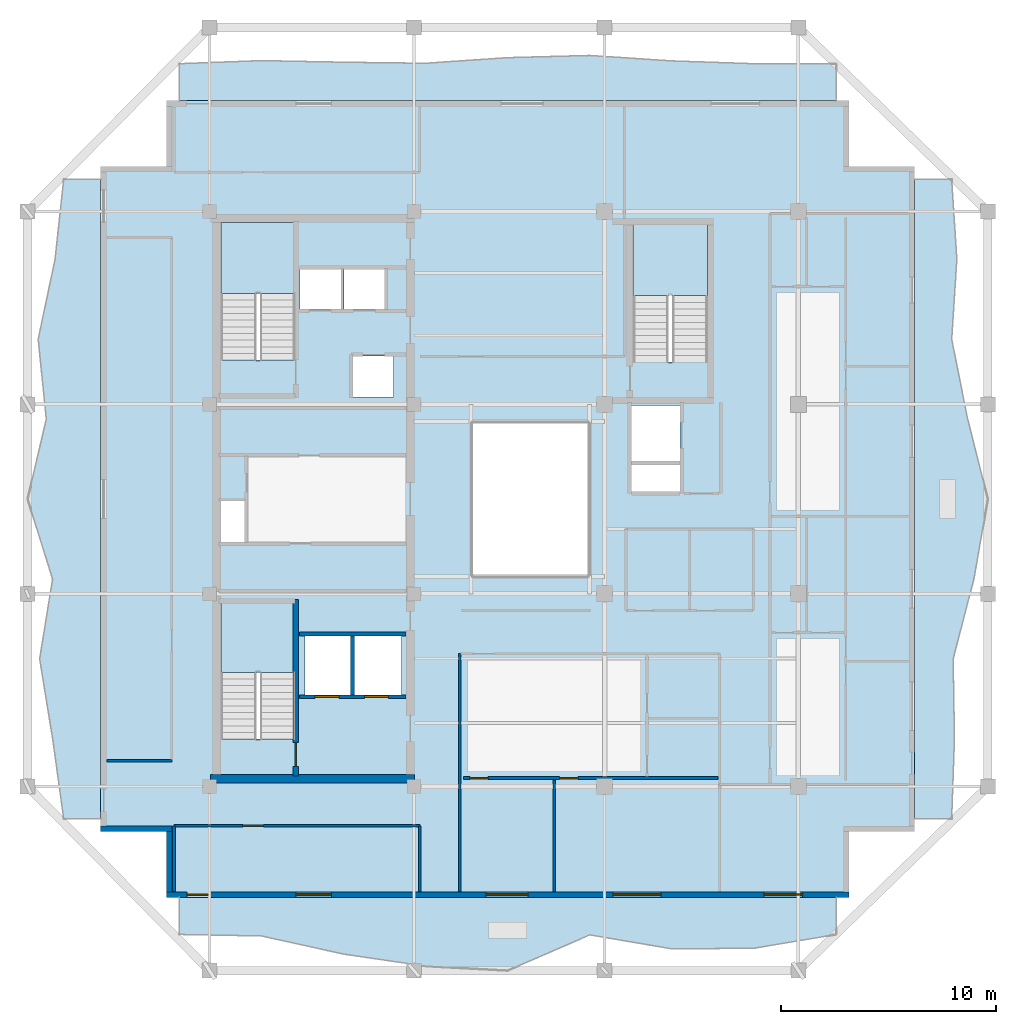
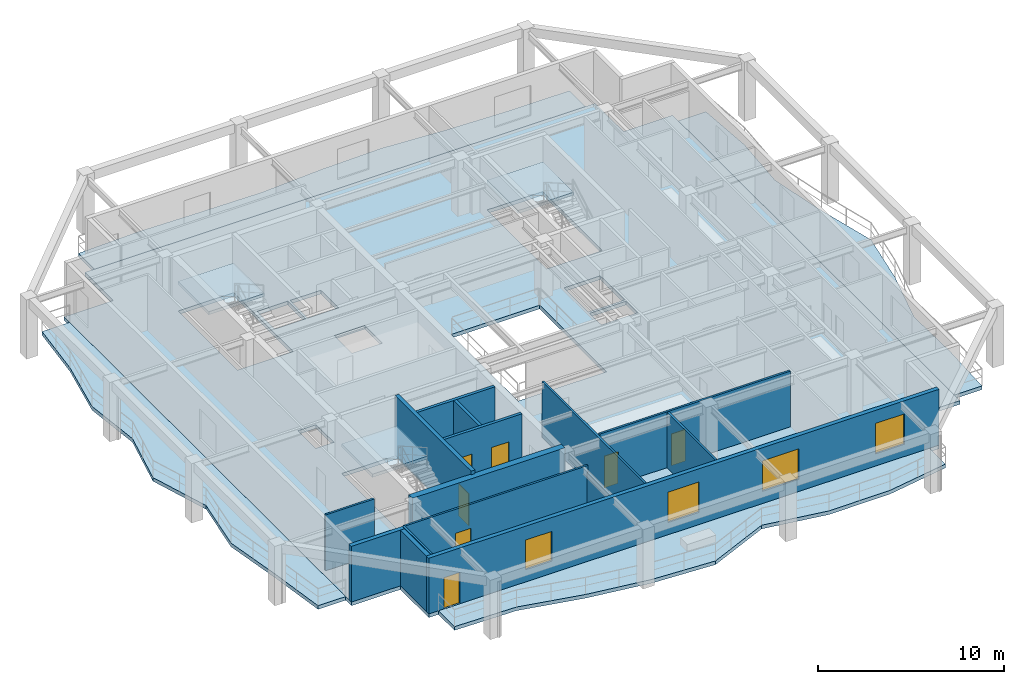
# One storey, part 2 of 10: 15 walls, 8 slabs, 7 doors, 4 windows, 11 openings, 3 elements without a shape of their own.
"""IFC4 building model written with IfcOpenShell, lengths in metres."""

import ifcopenshell
import ifcopenshell.guid

model = None  # the IFC model being written
_history = None  # IfcOwnerHistory: only IFC2X3 demands one
_inside = {}  # id of a spatial element -> (the spatial element, [elements in it])
_under = {}  # id of a project, library or spatial element -> (it, [spatial elements below it])
_declared = {}  # id of a project -> (the project, [libraries it declares])
_typed = {}  # id of a type object -> (the type object, [elements of that type])
_made_of = {}  # id of a material, layer set ... -> (it, [elements and type objects made of it])


def new_model(schema):
    """Start an empty IFC model of exactly this schema.

    Asked for "IFC4X3", IfcOpenShell would pick the latest addendum, in which some entities
    have other attributes; the version numbers below select the first issue.
    IFC2X3 requires an IfcOwnerHistory on every rooted entity: one is made here for all.
    """
    global model, _history
    if schema == "IFC4X3":
        model = ifcopenshell.file(schema_version=(4, 3, 0, 0))
    else:
        model = ifcopenshell.file(schema=schema)
    _inside.clear()
    _under.clear()
    _declared.clear()
    _typed.clear()
    _made_of.clear()
    _history = None
    if model.schema == "IFC2X3":
        org = make("IfcOrganization", Name="unknown")
        user = make(
            "IfcPersonAndOrganization",
            ThePerson=make("IfcPerson", FamilyName="unknown"),
            TheOrganization=org,
        )
        app = make(
            "IfcApplication",
            ApplicationDeveloper=org,
            Version="unknown",
            ApplicationFullName="unknown",
            ApplicationIdentifier="unknown",
        )
        _history = make(
            "IfcOwnerHistory",
            OwningUser=user,
            OwningApplication=app,
            ChangeAction="ADDED",
            CreationDate=0,
        )
    return model


def make(cls, **values):
    """One entity of the class cls with the attributes given. An attribute that is None is left unset."""
    return model.create_entity(
        cls, **{name: value for name, value in values.items() if value is not None}
    )


def rooted(cls, **values):
    """An entity with a GlobalId (a new one), such as an element, a storey or a relation."""
    return make(cls, GlobalId=ifcopenshell.guid.new(), OwnerHistory=_history, **values)


def si_unit(unit_type, name, prefix=None):
    """IfcSIUnit, for example si_unit("LENGTHUNIT", "METRE", prefix="MILLI")."""
    return make("IfcSIUnit", UnitType=unit_type, Prefix=prefix, Name=name)


def assignment(units):
    """IfcUnitAssignment: the units of a project."""
    return None if units is None else make("IfcUnitAssignment", Units=units)


def point(xyz):
    """IfcCartesianPoint."""
    return None if xyz is None else make("IfcCartesianPoint", Coordinates=xyz)


def direction(xyz):
    """IfcDirection."""
    return None if xyz is None else make("IfcDirection", DirectionRatios=xyz)


def frame(location, z_axis=None, x_axis=None):
    """IfcAxis2Placement3D, a coordinate frame: its origin and axes. An axis left out is left unset."""
    return make(
        "IfcAxis2Placement3D",
        Location=point(location),
        Axis=direction(z_axis),
        RefDirection=direction(x_axis),
    )


def frame_2d(location, x_axis=None):
    """IfcAxis2Placement2D, a coordinate frame in the plane: its origin and x axis."""
    return make(
        "IfcAxis2Placement2D", Location=point(location), RefDirection=direction(x_axis)
    )


def origin():
    """The frame at (0, 0, 0) with its axes left unset."""
    return frame((0.0, 0.0, 0.0))


def place(relative_to, where):
    """IfcLocalPlacement: puts the frame where relative to a parent placement (None: the world)."""
    return make(
        "IfcLocalPlacement", PlacementRelTo=relative_to, RelativePlacement=where
    )


def context(
    kind, dimensions, precision=None, world=None, true_north=None, identifier=None
):
    """IfcGeometricRepresentationContext, for example the 3D "Model" context."""
    return make(
        "IfcGeometricRepresentationContext",
        ContextIdentifier=identifier,
        ContextType=kind,
        CoordinateSpaceDimension=dimensions,
        Precision=precision,
        WorldCoordinateSystem=world,
        TrueNorth=true_north,
    )


def subcontext(parent, identifier, kind, view, scale=None):
    """IfcGeometricRepresentationSubContext, for example "Body" below "Model"."""
    return make(
        "IfcGeometricRepresentationSubContext",
        ContextIdentifier=identifier,
        ContextType=kind,
        ParentContext=parent,
        TargetScale=scale,
        TargetView=view,
    )


def project(units=None, contexts=None):
    """IfcProject with its units and contexts."""
    return rooted(
        "IfcProject",
        Name="project",
        RepresentationContexts=contexts,
        UnitsInContext=assignment(units),
    )


def spatial(cls, under=None, at=None, **own):
    """A site, building, storey or space (cls), placed at a placement, below another one or the project."""
    s = rooted(cls, ObjectPlacement=at, **own)
    if under is not None:
        _under.setdefault(under.id(), (under, []))[1].append(s)
    return s


def polyline(points):
    """IfcPolyline through the points."""
    return make("IfcPolyline", Points=[point(p) for p in points])


def profile(cls, at=None, kind="AREA", **sizes):
    """A parametric profile (cls). Its sizes go by their IFC names, for example OverallWidth=200.0."""
    return make(cls, ProfileType=kind, Position=at, **sizes)


def rectangle(**sizes):
    """IfcRectangleProfileDef."""
    return profile("IfcRectangleProfileDef", **sizes)


def outline(outer, holes=None, kind="AREA"):
    """IfcArbitraryClosedProfileDef: a profile drawn as a closed curve; with holes, ...WithVoids."""
    if holes is None:
        return make("IfcArbitraryClosedProfileDef", ProfileType=kind, OuterCurve=outer)
    return make(
        "IfcArbitraryProfileDefWithVoids",
        ProfileType=kind,
        OuterCurve=outer,
        InnerCurves=holes,
    )


def extrude(swept, where, along, depth):
    """IfcExtrudedAreaSolid: the profile swept, set in the frame where, extruded along a direction by depth."""
    return make(
        "IfcExtrudedAreaSolid",
        SweptArea=swept,
        Position=where,
        ExtrudedDirection=direction(along),
        Depth=depth,
    )


def shape(context_of_items, identifier, shape_type, items):
    """IfcShapeRepresentation: the items that make up one representation, for example the "Body"."""
    return make(
        "IfcShapeRepresentation",
        ContextOfItems=context_of_items,
        RepresentationIdentifier=identifier,
        RepresentationType=shape_type,
        Items=items,
    )


def material(Name=None, Category=None):
    """IfcMaterial."""
    return make("IfcMaterial", Name=Name, Category=Category)


def layer(
    of_material, thickness, ventilated=None, Name=None, Category=None, Priority=None
):
    """IfcMaterialLayer: one layer of a wall or slab, of a material (None: an air gap)."""
    return make(
        "IfcMaterialLayer",
        Material=of_material,
        LayerThickness=thickness,
        IsVentilated=ventilated,
        Name=Name,
        Category=Category,
        Priority=Priority,
    )


def layer_set(layers, Name=None):
    """IfcMaterialLayerSet."""
    return make("IfcMaterialLayerSet", MaterialLayers=layers, LayerSetName=Name)


def made_of(thing, what):
    """Note that an element or type object is made of a material, layer set ...; save() writes the relation."""
    if what is not None:
        _made_of.setdefault(what.id(), (what, []))[1].append(thing)
    return thing


def type_object(cls, material=None, **own):
    """A type object (cls), such as IfcWallType, which elements share."""
    return made_of(rooted(cls, **own), material)


def element(
    cls,
    number,
    at=None,
    inside=None,
    cuts=None,
    type_object=None,
    material=None,
    context=None,
    identifier="Body",
    shape_type=None,
    held_by="IfcProductDefinitionShape",
    body=None,
    shapes=None,
    **own,
):
    """One element of the class cls, such as IfcWall. Its Tag is "e" and its number.

    at: its placement. inside: the storey or other place that contains it. cuts: it is an
    opening in that element (IfcRelVoidsElement). A single representation is given by context,
    identifier, shape_type and body (its items); several are given by shapes. held_by: the class
    of the entity that holds the representations. save() writes the other relations.
    """
    e = rooted(cls, Tag="e%d" % number, ObjectPlacement=at, **own)
    if body is not None:
        shapes = [shape(context, identifier, shape_type, body)]
    if shapes is not None:
        e.Representation = make(held_by, Representations=shapes)
    if inside is not None:
        _inside.setdefault(inside.id(), (inside, []))[1].append(e)
    if cuts is not None:
        rooted(
            "IfcRelVoidsElement", RelatingBuildingElement=cuts, RelatedOpeningElement=e
        )
    if type_object is not None:
        _typed.setdefault(type_object.id(), (type_object, []))[1].append(e)
    return made_of(e, material)


def fill(opening, filler):
    """IfcRelFillsElement: the door or window that sits in an opening."""
    return rooted(
        "IfcRelFillsElement",
        RelatingOpeningElement=opening,
        RelatedBuildingElement=filler,
    )


def aggregate(whole, parts):
    """IfcRelAggregates: a whole, such as a stair, and the parts it consists of."""
    return rooted("IfcRelAggregates", RelatingObject=whole, RelatedObjects=parts)


def save(model, path):
    """Write the relations noted so far, then the file.

    IfcRelAggregates (storeys below a building ...), IfcRelContainedInSpatialStructure (elements
    in a storey), IfcRelDefinesByType, IfcRelAssociatesMaterial and IfcRelDeclares: one each for
    every whole, place, type object, material and project.
    """
    for whole, parts in _under.values():
        aggregate(whole, parts)
    for where, things in _inside.values():
        rooted(
            "IfcRelContainedInSpatialStructure",
            RelatedElements=things,
            RelatingStructure=where,
        )
    for kind, things in _typed.values():
        rooted("IfcRelDefinesByType", RelatedObjects=things, RelatingType=kind)
    for what, things in _made_of.values():
        rooted("IfcRelAssociatesMaterial", RelatedObjects=things, RelatingMaterial=what)
    for by, libraries in _declared.values():
        rooted("IfcRelDeclares", RelatingContext=by, RelatedDefinitions=libraries)
    model.write(path)


model = new_model("IFC4")

# Units and contexts
model_context = context("Model", 3, precision=1e-05, world=origin(), true_north=direction((0.0, 1.0)))
body_context = subcontext(model_context, "Body", "Model", "MODEL_VIEW")
ifc_project = project(units=[si_unit("LENGTHUNIT", "METRE"), si_unit("AREAUNIT", "SQUARE_METRE"), si_unit("VOLUMEUNIT", "CUBIC_METRE"), si_unit("PLANEANGLEUNIT", "RADIAN"), si_unit("MASSUNIT", "GRAM", prefix="KILO")], contexts=[model_context])

# Site, building, storey
site_placement = place(None, origin())
site = spatial("IfcSite", under=ifc_project, at=site_placement, CompositionType="ELEMENT")
building_placement = place(site_placement, origin())
building = spatial("IfcBuilding", under=site, at=building_placement, Name="Kundavana Baori Tower", CompositionType="ELEMENT")
storey_placement = place(building_placement, frame((0.0, 0.0, 280.39990234375)))
storey = spatial("IfcBuildingStorey", under=building, at=storey_placement, Name="L69", CompositionType="ELEMENT", Elevation=280.39990234375)

# Slab
ifc_material_1 = material(Name="Concrete C40/50", Category="concrete")
ifc_layer_1 = layer(ifc_material_1, 0.239990234375, Name="SLB-FLR-240")
ifc_layer_set_1 = layer_set([ifc_layer_1], Name="Concrete C40/50")
slab_type_1 = type_object("IfcSlabType", Name="SLB-FLR-240", PredefinedType="FLOOR", material=ifc_layer_set_1)
slab_1_placement = place(storey_placement, frame((0.0, 0.0, -0.239990234375)))
element("IfcSlab", 1, at=slab_1_placement, inside=storey, type_object=slab_type_1, Name="L69 Structural Floor Slab", PredefinedType="FLOOR", context=body_context, shape_type="SweptSolid", body=[
    extrude(outline(polyline([(13.449951171875, 10.10009765625), (45.14990234375, 10.10009765625), (45.14990234375, 13.14990234375), (48.199951171875, 13.14990234375), (48.199951171875, 44.050048828125), (45.14990234375, 44.050048828125), (45.14990234375, 47.10009765625), (13.449951171875, 47.10009765625), (13.449951171875, 44.050048828125), (10.39990234375, 44.050048828125), (10.39990234375, 13.14990234375), (13.449951171875, 13.14990234375), (13.449951171875, 10.10009765625)]), holes=[polyline([(19.43994140625, 17.4619140625), (19.43994140625, 23.85009765625), (15.97998046875, 23.85009765625), (15.97998046875, 17.4619140625), (19.43994140625, 17.4619140625)]), polyline([(19.43994140625, 35.06201171875), (19.43994140625, 41.449951171875), (15.97998046875, 41.449951171875), (15.97998046875, 35.06201171875), (19.43994140625, 35.06201171875)]), polyline([(38.580078125, 34.9619140625), (38.580078125, 41.35009765625), (35.1201171875, 41.35009765625), (35.1201171875, 34.9619140625), (38.580078125, 34.9619140625)]), polyline([(19.64990234375, 37.39990234375), (21.550048828125, 37.39990234375), (21.550048828125, 39.300048828125), (19.64990234375, 39.300048828125), (19.64990234375, 37.39990234375)]), polyline([(21.699951171875, 37.39990234375), (23.60009765625, 37.39990234375), (23.60009765625, 39.300048828125), (21.699951171875, 39.300048828125), (21.699951171875, 37.39990234375)]), polyline([(22.10009765625, 33.35009765625), (24.0, 33.35009765625), (24.0, 35.25), (22.10009765625, 35.25), (22.10009765625, 33.35009765625)]), polyline([(19.8798828125, 19.5), (22.02001953125, 19.5), (22.02001953125, 22.25), (19.8798828125, 22.25), (19.8798828125, 19.5)]), polyline([(22.179931640625, 19.5), (24.3798828125, 19.5), (24.3798828125, 22.25), (22.179931640625, 22.25), (22.179931640625, 19.5)]), polyline([(35.050048828125, 30.35009765625), (37.300048828125, 30.35009765625), (37.300048828125, 32.949951171875), (35.050048828125, 32.949951171875), (35.050048828125, 30.35009765625)]), polyline([(15.949951171875, 26.60009765625), (17.080078125, 26.60009765625), (17.080078125, 28.5), (15.949951171875, 28.5), (15.949951171875, 26.60009765625)]), polyline([(35.050048828125, 28.949951171875), (37.300048828125, 28.949951171875), (37.300048828125, 30.199951171875), (35.050048828125, 30.199951171875), (35.050048828125, 28.949951171875)]), polyline([(27.60009765625, 25.0), (33.10009765625, 25.0), (33.10009765625, 32.199951171875), (27.60009765625, 32.199951171875), (27.60009765625, 25.0)])]), origin(), (0.0, 0.0, 1.0), 0.239990234375),
])

# Stair, slab
ifc_material_2 = material(Name="Concrete C40/50", Category="concrete")
stair_type = type_object("IfcStairType", Name="STR-DOG-1650", PredefinedType="HALF_TURN_STAIR", material=ifc_material_2)
stair_1_placement = place(storey_placement, origin())
stair_1 = element("IfcStair", 2, at=stair_1_placement, inside=storey, type_object=stair_type, Name="L69 Protected Exit Stair ST1", PredefinedType="HALF_TURN_STAIR")
ifc_material_3 = material(Name="Concrete C40/50", Category="concrete")
ifc_layer_2 = layer(ifc_material_3, 0.199951171875, Name="SLB-LND-200")
ifc_layer_set_2 = layer_set([ifc_layer_2], Name="Concrete C40/50")
slab_type_2 = type_object("IfcSlabType", Name="SLB-LND-200", PredefinedType="LANDING", material=ifc_layer_set_2)
slab_2_placement = place(storey_placement, frame((0.0, 0.0, 1.75)))
slab_2 = element("IfcSlab", 3, at=slab_2_placement, type_object=slab_type_2, Name="ST1 landing 1", PredefinedType="LANDING", context=body_context, shape_type="SweptSolid", body=[
    extrude(outline(polyline([(19.43994140625, 20.550048828125), (19.43994140625, 23.85009765625), (15.97998046875, 23.85009765625), (15.97998046875, 20.550048828125), (19.43994140625, 20.550048828125)])), origin(), (0.0, 0.0, 1.0), 0.2001953125),
])
aggregate(stair_1, [slab_2])

stair_2_placement = place(storey_placement, origin())
stair_2 = element("IfcStair", 4, at=stair_2_placement, inside=storey, type_object=stair_type, Name="L69 Protected Exit Stair ST2", PredefinedType="HALF_TURN_STAIR")
slab_3_placement = place(storey_placement, frame((0.0, 0.0, 1.75)))
slab_3 = element("IfcSlab", 5, at=slab_3_placement, type_object=slab_type_2, Name="ST2 landing 1", PredefinedType="LANDING", context=body_context, shape_type="SweptSolid", body=[
    extrude(outline(polyline([(19.43994140625, 38.14990234375), (19.43994140625, 41.449951171875), (15.97998046875, 41.449951171875), (15.97998046875, 38.14990234375), (19.43994140625, 38.14990234375)])), origin(), (0.0, 0.0, 1.0), 0.2001953125),
])
aggregate(stair_2, [slab_3])

stair_3_placement = place(storey_placement, origin())
stair_3 = element("IfcStair", 6, at=stair_3_placement, inside=storey, type_object=stair_type, Name="L69 Protected Exit Stair ST3", PredefinedType="HALF_TURN_STAIR")
slab_4_placement = place(storey_placement, frame((0.0, 0.0, 1.75)))
slab_4 = element("IfcSlab", 7, at=slab_4_placement, type_object=slab_type_2, Name="ST3 landing 1", PredefinedType="LANDING", context=body_context, shape_type="SweptSolid", body=[
    extrude(outline(polyline([(38.580078125, 38.050048828125), (38.580078125, 41.35009765625), (35.1201171875, 41.35009765625), (35.1201171875, 38.050048828125), (38.580078125, 38.050048828125)])), origin(), (0.0, 0.0, 1.0), 0.2001953125),
])
aggregate(stair_3, [slab_4])

# Slabs
ifc_material_4 = material(Name="Concrete C40/50", Category="concrete")
ifc_layer_3 = layer(ifc_material_4, 0.239990234375, Name="SLB-LOG-240")
ifc_layer_set_3 = layer_set([ifc_layer_3], Name="Concrete C40/50")
slab_type_3 = type_object("IfcSlabType", Name="SLB-LOG-240", PredefinedType="FLOOR", material=ifc_layer_set_3)
slab_5_placement = place(storey_placement, frame((0.0, 0.0, -0.239990234375)))
element("IfcSlab", 8, at=slab_5_placement, inside=storey, type_object=slab_type_3, Name="L69 Planted Loggia Balcony Slab S", PredefinedType="FLOOR", context=body_context, shape_type="SweptSolid", body=[
    extrude(outline(polyline([(14.050048828125, 10.10009765625), (44.550048828125, 10.10009765625), (44.550048828125, 8.3798828125), (40.737060546875, 7.737060546875), (36.925048828125, 7.7119140625), (33.112060546875, 8.35888671875), (29.300048828125, 6.699951171875), (25.487060546875, 6.906982421875), (21.675048828125, 7.468017578125), (17.863037109375, 8.30908203125), (14.050048828125, 8.3798828125), (14.050048828125, 10.10009765625)])), origin(), (0.0, 0.0, 1.0), 0.239990234375),
])
slab_6_placement = place(storey_placement, frame((0.0, 0.0, -0.239990234375)))
element("IfcSlab", 9, at=slab_6_placement, inside=storey, type_object=slab_type_3, Name="L69 Planted Loggia Balcony Slab E", PredefinedType="FLOOR", context=body_context, shape_type="SweptSolid", body=[
    extrude(outline(polyline([(48.199951171875, 13.75), (48.199951171875, 43.449951171875), (49.919921875, 43.449951171875), (50.160888671875, 39.738037109375), (49.923095703125, 36.02490234375), (50.6630859375, 32.31201171875), (51.60009765625, 28.60009765625), (50.955078125, 24.887939453125), (49.989013671875, 21.175048828125), (50.050048828125, 17.4619140625), (49.919921875, 13.75), (48.199951171875, 13.75)])), origin(), (0.0, 0.0, 1.0), 0.239990234375),
])
slab_7_placement = place(storey_placement, frame((0.0, 0.0, -0.239990234375)))
element("IfcSlab", 10, at=slab_7_placement, inside=storey, type_object=slab_type_3, Name="L69 Planted Loggia Balcony Slab N", PredefinedType="FLOOR", context=body_context, shape_type="SweptSolid", body=[
    extrude(outline(polyline([(44.550048828125, 47.10009765625), (14.050048828125, 47.10009765625), (14.050048828125, 48.820068359375), (17.863037109375, 48.962890625), (21.675048828125, 48.888916015625), (25.487060546875, 48.840087890625), (29.300048828125, 49.10107421875), (33.112060546875, 49.202880859375), (36.925048828125, 48.949951171875), (40.737060546875, 48.820068359375), (44.550048828125, 48.820068359375), (44.550048828125, 47.10009765625)])), origin(), (0.0, 0.0, 1.0), 0.239990234375),
])
slab_8_placement = place(storey_placement, frame((0.0, 0.0, -0.239990234375)))
element("IfcSlab", 11, at=slab_8_placement, inside=storey, type_object=slab_type_3, Name="L69 Planted Loggia Balcony Slab W", PredefinedType="FLOOR", context=body_context, shape_type="SweptSolid", body=[
    extrude(outline(polyline([(10.39990234375, 43.449951171875), (10.39990234375, 13.75), (8.679931640625, 13.75), (8.1669921875, 17.4619140625), (7.56201171875, 21.175048828125), (8.1630859375, 24.887939453125), (7.0, 28.60009765625), (7.87109375, 32.31201171875), (7.4951171875, 36.02490234375), (8.278076171875, 39.738037109375), (8.679931640625, 43.449951171875), (10.39990234375, 43.449951171875)])), origin(), (0.0, 0.0, 1.0), 0.239990234375),
])

# Wall
ifc_material_5 = material(Name="Concrete C50/60", Category="concrete")
ifc_layer_4 = layer(ifc_material_5, 0.39990234375, Name="WL-CORE-400")
ifc_layer_set_4 = layer_set([ifc_layer_4], Name="Concrete C50/60")
wall_type_1 = type_object("IfcWallType", Name="WL-CORE-400", PredefinedType="SHEAR", material=ifc_layer_set_4)
wall_1_placement = place(storey_placement, frame((15.5, 15.610107421875, 0.0), z_axis=(0.0, 0.0, 1.0), x_axis=(1.0, 0.0, 0.0)))
element("IfcWall", 12, at=wall_1_placement, inside=storey, type_object=wall_type_1, Name="L69 Offset Core South Shear Wall", PredefinedType="SHEAR", context=body_context, shape_type="SweptSolid", body=[
    extrude(rectangle(XDim=9.47998046875, YDim=0.39990234375, at=frame_2d((4.739990234375, 0.0))), origin(), (0.0, 0.0, 1.0), 3.66015625),
])

# Wall, opening, door
wall_2_placement = place(storey_placement, frame((19.4599609375, 15.739990234375, 0.0), z_axis=(0.0, 0.0, 1.0), x_axis=(0.0, 1.0, 0.0)))
wall_2 = element("IfcWall", 13, at=wall_2_placement, inside=storey, type_object=wall_type_1, Name="WL-L69-ST1-E", PredefinedType="SHEAR", context=body_context, shape_type="SweptSolid", body=[
    extrude(rectangle(XDim=8.199951171875, YDim=0.239990234375, at=frame_2d((4.10009765625, 0.0))), origin(), (0.0, 0.0, 1.0), 3.900146484375),
])
opening_1_placement = place(wall_2_placement, frame((0.449951171875, 0.0, 0.0)))
opening_1 = element("IfcOpeningElement", 14, at=opening_1_placement, cuts=wall_2, Name="Opening FD-110", PredefinedType="OPENING", context=body_context, shape_type="SweptSolid", body=[
    extrude(rectangle(XDim=1.10009765625, YDim=2.10009765625, at=frame_2d((0.550048828125, 1.050048828125))), frame((0.0, 0.1298828125, 0.0), z_axis=(0.0, -1.0, 0.0), x_axis=(1.0, 0.0, 0.0)), (0.0, 0.0, 1.0), 0.260009765625),
])
ifc_material_6 = material(Name="Galvanised Steel Fire-Rated Door Leaf", Category="steel")
door_type_1 = type_object("IfcDoorType", Name="DR-FD120-1100", OperationType="NOTDEFINED", PredefinedType="DOOR", material=ifc_material_6)
door_1_placement = place(opening_1_placement, origin())
door_1 = element("IfcDoor", 15, at=door_1_placement, inside=storey, type_object=door_type_1, Name="DR-L69-ST1", OperationType="SINGLE_SWING_LEFT", OverallHeight=2.10009765625, OverallWidth=1.10009765625, PredefinedType="DOOR", context=body_context, shape_type="SweptSolid", body=[
    extrude(rectangle(XDim=1.10009765625, YDim=2.10009765625, at=frame_2d((0.550048828125, 1.050048828125))), frame((0.0, 0.02490234375, 0.0), z_axis=(0.0, -1.0, 0.0), x_axis=(1.0, 0.0, 0.0)), (0.0, 0.0, 1.0), 0.050048828125),
])
fill(opening_1, door_1)

# Wall, openings, door, windows
ifc_material_7 = material(Name="Kiln-Fired Terracotta Brick-Slip Masonry on Concrete C40/50", Category="masonry")
ifc_layer_5 = layer(ifc_material_7, 0.260009765625, Name="WL-EXT-BRK-260")
ifc_layer_set_5 = layer_set([ifc_layer_5], Name="Kiln-Fired Terracotta Brick-Slip Masonry on Concrete C40/50")
wall_type_2 = type_object("IfcWallType", Name="WL-EXT-BRK-260", PredefinedType="SOLIDWALL", material=ifc_layer_set_5)
wall_3_placement = place(storey_placement, frame((13.449951171875, 10.22998046875, 0.0), z_axis=(0.0, 0.0, 1.0), x_axis=(1.0, 0.0, 0.0)))
wall_3 = element("IfcWall", 16, at=wall_3_placement, inside=storey, type_object=wall_type_2, Name="L69 Exterior Insulated Facade Wall 01", PredefinedType="SOLIDWALL", context=body_context, shape_type="SweptSolid", body=[
    extrude(rectangle(XDim=31.699951171875, YDim=0.260009765625, at=frame_2d((15.85009765625, 0.0))), origin(), (0.0, 0.0, 1.0), 3.66015625),
])
opening_2_placement = place(wall_3_placement, frame((0.949951171875, 0.0, 0.0)))
opening_2 = element("IfcOpeningElement", 17, at=opening_2_placement, cuts=wall_3, Name="Opening BD-1", PredefinedType="OPENING", context=body_context, shape_type="SweptSolid", body=[
    extrude(rectangle(XDim=1.0, YDim=2.050048828125, at=frame_2d((0.5, 1.02490234375))), frame((0.0, 0.14013671875, 0.0), z_axis=(0.0, -1.0, 0.0), x_axis=(1.0, 0.0, 0.0)), (0.0, 0.0, 1.0), 0.280029296875),
])
opening_3_placement = place(wall_3_placement, frame((6.010009765625, 0.0, 0.800048828125)))
opening_3 = element("IfcOpeningElement", 18, at=opening_3_placement, cuts=wall_3, Name="Opening W-08", PredefinedType="OPENING", context=body_context, shape_type="SweptSolid", body=[
    extrude(rectangle(XDim=1.64990234375, YDim=1.949951171875, at=frame_2d((0.824951171875, 0.97509765625))), frame((0.0, 0.14013671875, 0.0), z_axis=(0.0, -1.0, 0.0), x_axis=(1.0, 0.0, 0.0)), (0.0, 0.0, 1.0), 0.280029296875),
])
opening_4_placement = place(wall_3_placement, frame((14.847900390625, 0.0, 0.800048828125)))
opening_4 = element("IfcOpeningElement", 19, at=opening_4_placement, cuts=wall_3, Name="Opening W-09", PredefinedType="OPENING", context=body_context, shape_type="SweptSolid", body=[
    extrude(rectangle(XDim=1.949951171875, YDim=2.0, at=frame_2d((0.97509765625, 1.0))), frame((0.0, 0.14013671875, 0.0), z_axis=(0.0, -1.0, 0.0), x_axis=(1.0, 0.0, 0.0)), (0.0, 0.0, 1.0), 0.280029296875),
])
opening_5_placement = place(wall_3_placement, frame((20.73291015625, 0.0, 0.800048828125)))
opening_5 = element("IfcOpeningElement", 20, at=opening_5_placement, cuts=wall_3, Name="Opening W-10", PredefinedType="OPENING", context=body_context, shape_type="SweptSolid", body=[
    extrude(rectangle(XDim=2.25, YDim=2.0, at=frame_2d((1.125, 1.0))), frame((0.0, 0.14013671875, 0.0), z_axis=(0.0, -1.0, 0.0), x_axis=(1.0, 0.0, 0.0)), (0.0, 0.0, 1.0), 0.280029296875),
])
opening_6_placement = place(wall_3_placement, frame((27.7451171875, 0.0, 0.800048828125)))
opening_6 = element("IfcOpeningElement", 21, at=opening_6_placement, cuts=wall_3, Name="Opening W-01", PredefinedType="OPENING", context=body_context, shape_type="SweptSolid", body=[
    extrude(rectangle(XDim=1.800048828125, YDim=2.0, at=frame_2d((0.89990234375, 1.0))), frame((0.0, 0.14013671875, 0.0), z_axis=(0.0, -1.0, 0.0), x_axis=(1.0, 0.0, 0.0)), (0.0, 0.0, 1.0), 0.280029296875),
])
ifc_material_8 = material(Name="Architectural Patinated Bronze Metalwork")
door_type_2 = type_object("IfcDoorType", Name="DR-EXT-LOG-1000", OperationType="NOTDEFINED", PredefinedType="DOOR", material=ifc_material_8)
door_2_placement = place(opening_2_placement, frame((1.0, 0.0, 0.0), z_axis=(0.0, 0.0, 1.0), x_axis=(-1.0, 0.0, 0.0)))
door_2 = element("IfcDoor", 22, at=door_2_placement, inside=storey, type_object=door_type_2, Name="L69 Loggia Balcony Access Door S", OperationType="SINGLE_SWING_LEFT", OverallHeight=2.050048828125, OverallWidth=1.0, PredefinedType="DOOR", context=body_context, shape_type="SweptSolid", body=[
    extrude(rectangle(XDim=1.0, YDim=2.050048828125, at=frame_2d((0.5, 1.02490234375))), frame((0.0, 0.02490234375, 0.0), z_axis=(0.0, -1.0, 0.0), x_axis=(1.0, 0.0, 0.0)), (0.0, 0.0, 1.0), 0.050048828125),
])
fill(opening_2, door_2)
ifc_material_9 = material(Name="Double-Glazed Solar-Control Low-E Insulated Glass", Category="glass")
window_type_1 = type_object("IfcWindowType", Name="WIN-LOG-1650x1950", PartitioningType="SINGLE_PANEL", PredefinedType="WINDOW", material=ifc_material_9)
window_1_placement = place(opening_3_placement, origin())
window_1 = element("IfcWindow", 23, at=window_1_placement, inside=storey, type_object=window_type_1, Name="L69 Recessed Loggia Window S-1", OverallHeight=1.949951171875, OverallWidth=1.64990234375, PartitioningType="SINGLE_PANEL", PredefinedType="WINDOW", context=body_context, shape_type="SweptSolid", body=[
    extrude(rectangle(XDim=1.64990234375, YDim=1.949951171875, at=frame_2d((0.824951171875, 0.97509765625))), frame((0.0, 0.030029296875, 0.0), z_axis=(0.0, -1.0, 0.0), x_axis=(1.0, 0.0, 0.0)), (0.0, 0.0, 1.0), 0.06005859375),
])
fill(opening_3, window_1)
ifc_material_10 = material(Name="Double-Glazed Solar-Control Low-E Insulated Glass", Category="glass")
window_type_2 = type_object("IfcWindowType", Name="WIN-LOG-1800x2000", PartitioningType="SINGLE_PANEL", PredefinedType="WINDOW", material=ifc_material_10)
window_2_placement = place(opening_6_placement, origin())
window_2 = element("IfcWindow", 24, at=window_2_placement, inside=storey, type_object=window_type_2, Name="L69 Recessed Loggia Window S-4", OverallHeight=2.0, OverallWidth=1.800048828125, PartitioningType="SINGLE_PANEL", PredefinedType="WINDOW", context=body_context, shape_type="SweptSolid", body=[
    extrude(rectangle(XDim=1.800048828125, YDim=2.0, at=frame_2d((0.89990234375, 1.0))), frame((0.0, 0.030029296875, 0.0), z_axis=(0.0, -1.0, 0.0), x_axis=(1.0, 0.0, 0.0)), (0.0, 0.0, 1.0), 0.06005859375),
])
fill(opening_6, window_2)
ifc_material_11 = material(Name="Double-Glazed Solar-Control Low-E Insulated Glass", Category="glass")
window_type_3 = type_object("IfcWindowType", Name="WIN-LOG-1950x2000", PartitioningType="SINGLE_PANEL", PredefinedType="WINDOW", material=ifc_material_11)
window_3_placement = place(opening_4_placement, origin())
window_3 = element("IfcWindow", 25, at=window_3_placement, inside=storey, type_object=window_type_3, Name="L69 Recessed Loggia Window S-2", OverallHeight=2.0, OverallWidth=1.949951171875, PartitioningType="SINGLE_PANEL", PredefinedType="WINDOW", context=body_context, shape_type="SweptSolid", body=[
    extrude(rectangle(XDim=1.949951171875, YDim=2.0, at=frame_2d((0.97509765625, 1.0))), frame((0.0, 0.030029296875, 0.0), z_axis=(0.0, -1.0, 0.0), x_axis=(1.0, 0.0, 0.0)), (0.0, 0.0, 1.0), 0.06005859375),
])
fill(opening_4, window_3)
ifc_material_12 = material(Name="Double-Glazed Solar-Control Low-E Insulated Glass", Category="glass")
window_type_4 = type_object("IfcWindowType", Name="WIN-LOG-2250x2000", PartitioningType="SINGLE_PANEL", PredefinedType="WINDOW", material=ifc_material_12)
window_4_placement = place(opening_5_placement, origin())
window_4 = element("IfcWindow", 26, at=window_4_placement, inside=storey, type_object=window_type_4, Name="L69 Recessed Loggia Window S-3", OverallHeight=2.0, OverallWidth=2.25, PartitioningType="SINGLE_PANEL", PredefinedType="WINDOW", context=body_context, shape_type="SweptSolid", body=[
    extrude(rectangle(XDim=2.25, YDim=2.0, at=frame_2d((1.125, 1.0))), frame((0.0, 0.030029296875, 0.0), z_axis=(0.0, -1.0, 0.0), x_axis=(1.0, 0.0, 0.0)), (0.0, 0.0, 1.0), 0.06005859375),
])
fill(opening_5, window_4)

# Walls
wall_4_placement = place(storey_placement, frame((10.39990234375, 13.280029296875, 0.0), z_axis=(0.0, 0.0, 1.0), x_axis=(1.0, 0.0, 0.0)))
element("IfcWall", 27, at=wall_4_placement, inside=storey, type_object=wall_type_2, Name="L69 Exterior Insulated Facade Wall 11", PredefinedType="SOLIDWALL", context=body_context, shape_type="SweptSolid", body=[
    extrude(rectangle(XDim=3.31005859375, YDim=0.260009765625, at=frame_2d((1.655029296875, 0.0))), origin(), (0.0, 0.0, 1.0), 3.66015625),
])
wall_5_placement = place(storey_placement, frame((13.580078125, 13.14990234375, 0.0), z_axis=(0.0, 0.0, 1.0), x_axis=(0.0, -1.0, 0.0)))
element("IfcWall", 28, at=wall_5_placement, inside=storey, type_object=wall_type_2, Name="L69 Exterior Insulated Facade Wall 12", PredefinedType="SOLIDWALL", context=body_context, shape_type="SweptSolid", body=[
    extrude(rectangle(XDim=2.789794921875, YDim=0.260009765625, at=frame_2d((1.39501953125, 0.0))), origin(), (0.0, 0.0, 1.0), 3.66015625),
])

# Wall, openings, doors
ifc_material_13 = material(Name="Autoclaved Aerated Concrete Blockwork Masonry", Category="masonry")
ifc_layer_6 = layer(ifc_material_13, 0.179931640625, Name="WL-SHAFT-180")
ifc_layer_set_6 = layer_set([ifc_layer_6], Name="Autoclaved Aerated Concrete Blockwork Masonry")
wall_type_3 = type_object("IfcWallType", Name="WL-SHAFT-180", PredefinedType="SOLIDWALL", material=ifc_layer_set_6)
wall_6_placement = place(storey_placement, frame((19.639892578125, 19.419921875, 0.0), z_axis=(0.0, 0.0, 1.0), x_axis=(1.0, 0.0, 0.0)))
wall_6 = element("IfcWall", 29, at=wall_6_placement, inside=storey, type_object=wall_type_3, Name="WL-L69-FFL-S", PredefinedType="SOLIDWALL", context=body_context, shape_type="SweptSolid", body=[
    extrude(rectangle(XDim=4.940185546875, YDim=0.179931640625, at=frame_2d((2.47021484375, 0.0))), origin(), (0.0, 0.0, 1.0), 3.66015625),
])
opening_7_placement = place(wall_6_placement, frame((0.719970703125, 0.0, 0.0)))
opening_7 = element("IfcOpeningElement", 30, at=opening_7_placement, cuts=wall_6, Name="Opening LD-110", PredefinedType="OPENING", context=body_context, shape_type="SweptSolid", body=[
    extrude(rectangle(XDim=1.10009765625, YDim=2.10009765625, at=frame_2d((0.550048828125, 1.050048828125))), frame((0.0, 0.10009765625, 0.0), z_axis=(0.0, -1.0, 0.0), x_axis=(1.0, 0.0, 0.0)), (0.0, 0.0, 1.0), 0.199951171875),
])
opening_8_placement = place(wall_6_placement, frame((3.02001953125, 0.0, 0.0)))
opening_8 = element("IfcOpeningElement", 31, at=opening_8_placement, cuts=wall_6, Name="Opening LD-110", PredefinedType="OPENING", context=body_context, shape_type="SweptSolid", body=[
    extrude(rectangle(XDim=1.10009765625, YDim=2.10009765625, at=frame_2d((0.550048828125, 1.050048828125))), frame((0.0, 0.10009765625, 0.0), z_axis=(0.0, -1.0, 0.0), x_axis=(1.0, 0.0, 0.0)), (0.0, 0.0, 1.0), 0.199951171875),
])
ifc_material_14 = material(Name="Galvanised Steel Fire-Rated Door Leaf", Category="steel")
door_type_3 = type_object("IfcDoorType", Name="DR-SLIDE-LD1100", OperationType="NOTDEFINED", PredefinedType="DOOR", material=ifc_material_14)
door_3_placement = place(opening_7_placement, origin())
door_3 = element("IfcDoor", 32, at=door_3_placement, inside=storey, type_object=door_type_3, Name="DR-L69-LD-FFL-1", OperationType="DOUBLE_DOOR_SLIDING", OverallHeight=2.10009765625, OverallWidth=1.10009765625, PredefinedType="DOOR", context=body_context, shape_type="SweptSolid", body=[
    extrude(rectangle(XDim=1.10009765625, YDim=2.10009765625, at=frame_2d((0.550048828125, 1.050048828125))), frame((0.0, 0.02490234375, 0.0), z_axis=(0.0, -1.0, 0.0), x_axis=(1.0, 0.0, 0.0)), (0.0, 0.0, 1.0), 0.050048828125),
])
fill(opening_7, door_3)
door_4_placement = place(opening_8_placement, origin())
door_4 = element("IfcDoor", 33, at=door_4_placement, inside=storey, type_object=door_type_3, Name="DR-L69-LD-FFL-2", OperationType="DOUBLE_DOOR_SLIDING", OverallHeight=2.10009765625, OverallWidth=1.10009765625, PredefinedType="DOOR", context=body_context, shape_type="SweptSolid", body=[
    extrude(rectangle(XDim=1.10009765625, YDim=2.10009765625, at=frame_2d((0.550048828125, 1.050048828125))), frame((0.0, 0.02490234375, 0.0), z_axis=(0.0, -1.0, 0.0), x_axis=(1.0, 0.0, 0.0)), (0.0, 0.0, 1.0), 0.050048828125),
])
fill(opening_8, door_4)

# Walls
wall_7_placement = place(storey_placement, frame((22.10009765625, 19.510009765625, 0.0), z_axis=(0.0, 0.0, 1.0), x_axis=(0.0, 1.0, 0.0)))
element("IfcWall", 34, at=wall_7_placement, inside=storey, type_object=wall_type_3, Name="WL-L69-FFL-MID", PredefinedType="SOLIDWALL", context=body_context, shape_type="SweptSolid", body=[
    extrude(rectangle(XDim=2.739990234375, YDim=0.179931640625, at=frame_2d((1.3701171875, 0.0))), origin(), (0.0, 0.0, 1.0), 3.66015625),
])
wall_8_placement = place(storey_placement, frame((19.639892578125, 22.340087890625, 0.0), z_axis=(0.0, 0.0, 1.0), x_axis=(1.0, 0.0, 0.0)))
element("IfcWall", 35, at=wall_8_placement, inside=storey, type_object=wall_type_3, Name="WL-L69-FFL-N", PredefinedType="SOLIDWALL", context=body_context, shape_type="SweptSolid", body=[
    extrude(rectangle(XDim=4.940185546875, YDim=0.179931640625, at=frame_2d((2.47021484375, 0.0))), origin(), (0.0, 0.0, 1.0), 3.66015625),
])
ifc_material_15 = material(Name="Autoclaved Aerated Concrete Blockwork Masonry", Category="masonry")
ifc_layer_7 = layer(ifc_material_15, 0.125, Name="WL-WET-120")
ifc_layer_set_7 = layer_set([ifc_layer_7], Name="Autoclaved Aerated Concrete Blockwork Masonry")
wall_type_4 = type_object("IfcWallType", Name="WL-WET-120", PredefinedType="PLUMBINGWALL", material=ifc_layer_set_7)
wall_9_placement = place(storey_placement, frame((27.080078125, 10.3798828125, 0.0), z_axis=(0.0, 0.0, 1.0), x_axis=(0.0, 1.0, 0.0)))
element("IfcWall", 36, at=wall_9_placement, inside=storey, type_object=wall_type_4, Name="WL-L69-RSW", PredefinedType="PLUMBINGWALL", context=body_context, shape_type="SweptSolid", body=[
    extrude(rectangle(XDim=11.0400390625, YDim=0.125, at=frame_2d((5.52001953125, 0.0))), origin(), (0.0, 0.0, 1.0), 3.66015625),
])

# Wall, opening, door
wall_10_placement = place(storey_placement, frame((13.800048828125, 13.419921875, 0.0), z_axis=(0.0, 0.0, 1.0), x_axis=(1.0, 0.0, 0.0)))
wall_10 = element("IfcWall", 37, at=wall_10_placement, inside=storey, type_object=wall_type_4, Name="WL-L69-RSC", PredefinedType="PLUMBINGWALL", context=body_context, shape_type="SweptSolid", body=[
    extrude(rectangle(XDim=11.419921875, YDim=0.125, at=frame_2d((5.7099609375, 0.0))), origin(), (0.0, 0.0, 1.0), 3.66015625),
])
opening_9_placement = place(wall_10_placement, frame((3.199951171875, 0.0, 0.0)))
opening_9 = element("IfcOpeningElement", 38, at=opening_9_placement, cuts=wall_10, Name="Opening ID-095", PredefinedType="OPENING", context=body_context, shape_type="SweptSolid", body=[
    extrude(rectangle(XDim=0.949951171875, YDim=2.080078125, at=frame_2d((0.47509765625, 1.0400390625))), frame((0.0, 0.072509765625, 0.0), z_axis=(0.0, -1.0, 0.0), x_axis=(1.0, 0.0, 0.0)), (0.0, 0.0, 1.0), 0.14501953125),
])
ifc_material_16 = material(Name="Engineered Teak Solid-Core Timber Veneer", Category="wood")
door_type_4 = type_object("IfcDoorType", Name="DR-INT-950", OperationType="NOTDEFINED", PredefinedType="DOOR", material=ifc_material_16)
door_5_placement = place(opening_9_placement, frame((0.949951171875, 0.0, 0.0), z_axis=(0.0, 0.0, 1.0), x_axis=(-1.0, 0.0, 0.0)))
door_5 = element("IfcDoor", 39, at=door_5_placement, inside=storey, type_object=door_type_4, Name="DR-L69-RMSW", OperationType="SINGLE_SWING_LEFT", OverallHeight=2.080078125, OverallWidth=0.949951171875, PredefinedType="DOOR", context=body_context, shape_type="SweptSolid", body=[
    extrude(rectangle(XDim=0.949951171875, YDim=2.080078125, at=frame_2d((0.47509765625, 1.0400390625))), frame((0.0, 0.02490234375, 0.0), z_axis=(0.0, -1.0, 0.0), x_axis=(1.0, 0.0, 0.0)), (0.0, 0.0, 1.0), 0.050048828125),
])
fill(opening_9, door_5)

# Walls
wall_11_placement = place(storey_placement, frame((13.800048828125, 10.3798828125, 0.0), z_axis=(0.0, 0.0, 1.0), x_axis=(0.0, 1.0, 0.0)))
element("IfcWall", 40, at=wall_11_placement, inside=storey, type_object=wall_type_4, Name="WL-L69-RSCW", PredefinedType="PLUMBINGWALL", context=body_context, shape_type="SweptSolid", body=[
    extrude(rectangle(XDim=3.0400390625, YDim=0.125, at=frame_2d((1.52001953125, 0.0))), origin(), (0.0, 0.0, 1.0), 3.66015625),
])
wall_12_placement = place(storey_placement, frame((25.219970703125, 10.3798828125, 0.0), z_axis=(0.0, 0.0, 1.0), x_axis=(0.0, 1.0, 0.0)))
element("IfcWall", 41, at=wall_12_placement, inside=storey, type_object=wall_type_4, Name="WL-L69-RSCE", PredefinedType="PLUMBINGWALL", context=body_context, shape_type="SweptSolid", body=[
    extrude(rectangle(XDim=3.0400390625, YDim=0.125, at=frame_2d((1.52001953125, 0.0))), origin(), (0.0, 0.0, 1.0), 3.210205078125),
])
wall_13_placement = place(storey_placement, frame((10.679931640625, 16.449951171875, 0.0), z_axis=(0.0, 0.0, 1.0), x_axis=(1.0, 0.0, 0.0)))
element("IfcWall", 42, at=wall_13_placement, inside=storey, type_object=wall_type_4, Name="WL-L69-RWS", PredefinedType="PLUMBINGWALL", context=body_context, shape_type="SweptSolid", body=[
    extrude(rectangle(XDim=3.02001953125, YDim=0.125, at=frame_2d((1.510009765625, 0.0))), origin(), (0.0, 0.0, 1.0), 3.66015625),
])

# Wall, openings, doors
wall_14_placement = place(storey_placement, frame((27.239990234375, 15.64111328125, 0.0), z_axis=(0.0, 0.0, 1.0), x_axis=(1.0, 0.0, 0.0)))
wall_14 = element("IfcWall", 43, at=wall_14_placement, inside=storey, type_object=wall_type_4, Name="WL-L69-S1-HZ", PredefinedType="PLUMBINGWALL", context=body_context, shape_type="SweptSolid", body=[
    extrude(rectangle(XDim=11.830078125, YDim=0.125, at=frame_2d((5.9150390625, 0.0))), origin(), (0.0, 0.0, 1.0), 3.66015625),
])
opening_10_placement = place(wall_14_placement, frame((0.300048828125, 0.0, 0.0)))
opening_10 = element("IfcOpeningElement", 44, at=opening_10_placement, cuts=wall_14, Name="Opening ID-085", PredefinedType="OPENING", context=body_context, shape_type="SweptSolid", body=[
    extrude(rectangle(XDim=0.85009765625, YDim=2.080078125, at=frame_2d((0.425048828125, 1.0400390625))), frame((0.0, 0.072509765625, 0.0), z_axis=(0.0, -1.0, 0.0), x_axis=(1.0, 0.0, 0.0)), (0.0, 0.0, 1.0), 0.14501953125),
])
opening_11_placement = place(wall_14_placement, frame((4.47509765625, 0.0, 0.0)))
opening_11 = element("IfcOpeningElement", 45, at=opening_11_placement, cuts=wall_14, Name="Opening ID-085", PredefinedType="OPENING", context=body_context, shape_type="SweptSolid", body=[
    extrude(rectangle(XDim=0.85009765625, YDim=2.080078125, at=frame_2d((0.425048828125, 1.0400390625))), frame((0.0, 0.072509765625, 0.0), z_axis=(0.0, -1.0, 0.0), x_axis=(1.0, 0.0, 0.0)), (0.0, 0.0, 1.0), 0.14501953125),
])
ifc_material_17 = material(Name="Engineered Teak Solid-Core Timber Veneer", Category="wood")
door_type_5 = type_object("IfcDoorType", Name="DR-INT-850", OperationType="NOTDEFINED", PredefinedType="DOOR", material=ifc_material_17)
door_6_placement = place(opening_10_placement, frame((0.85009765625, 0.0, 0.0), z_axis=(0.0, 0.0, 1.0), x_axis=(-1.0, 0.0, 0.0)))
door_6 = element("IfcDoor", 46, at=door_6_placement, inside=storey, type_object=door_type_5, Name="DR-L69-S1-B1", OperationType="SINGLE_SWING_LEFT", OverallHeight=2.080078125, OverallWidth=0.85009765625, PredefinedType="DOOR", context=body_context, shape_type="SweptSolid", body=[
    extrude(rectangle(XDim=0.85009765625, YDim=2.080078125, at=frame_2d((0.425048828125, 1.0400390625))), frame((0.0, 0.02490234375, 0.0), z_axis=(0.0, -1.0, 0.0), x_axis=(1.0, 0.0, 0.0)), (0.0, 0.0, 1.0), 0.050048828125),
])
fill(opening_10, door_6)
door_7_placement = place(opening_11_placement, frame((0.85009765625, 0.0, 0.0), z_axis=(0.0, 0.0, 1.0), x_axis=(-1.0, 0.0, 0.0)))
door_7 = element("IfcDoor", 47, at=door_7_placement, inside=storey, type_object=door_type_5, Name="DR-L69-S1-B2", OperationType="SINGLE_SWING_RIGHT", OverallHeight=2.080078125, OverallWidth=0.85009765625, PredefinedType="DOOR", context=body_context, shape_type="SweptSolid", body=[
    extrude(rectangle(XDim=0.85009765625, YDim=2.080078125, at=frame_2d((0.425048828125, 1.0400390625))), frame((0.0, 0.02490234375, 0.0), z_axis=(0.0, -1.0, 0.0), x_axis=(1.0, 0.0, 0.0)), (0.0, 0.0, 1.0), 0.050048828125),
])
fill(opening_11, door_7)

# Wall
wall_15_placement = place(storey_placement, frame((31.465087890625, 10.3798828125, 0.0), z_axis=(0.0, 0.0, 1.0), x_axis=(0.0, 1.0, 0.0)))
element("IfcWall", 48, at=wall_15_placement, inside=storey, type_object=wall_type_4, Name="WL-L69-S1-BDV", PredefinedType="PLUMBINGWALL", context=body_context, shape_type="SweptSolid", body=[
    extrude(rectangle(XDim=5.18115234375, YDim=0.125, at=frame_2d((2.590576171875, 0.0))), origin(), (0.0, 0.0, 1.0), 3.66015625),
])

save(model, "model.ifc")
